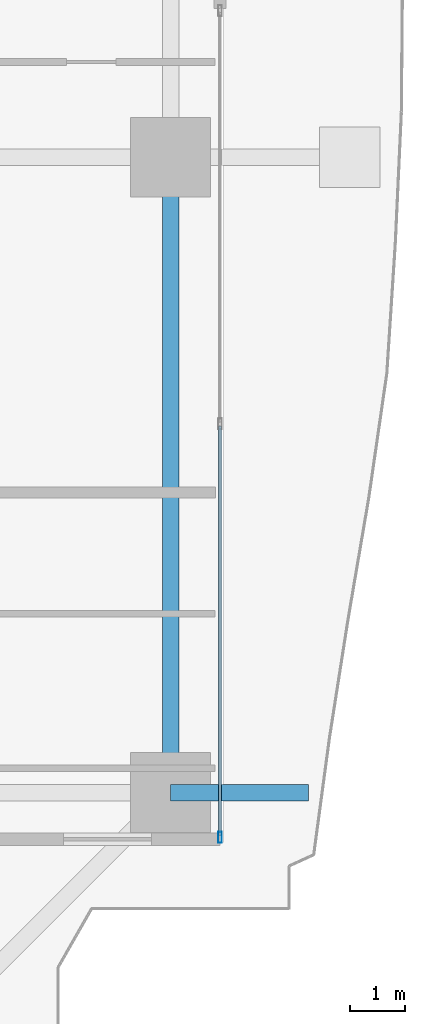
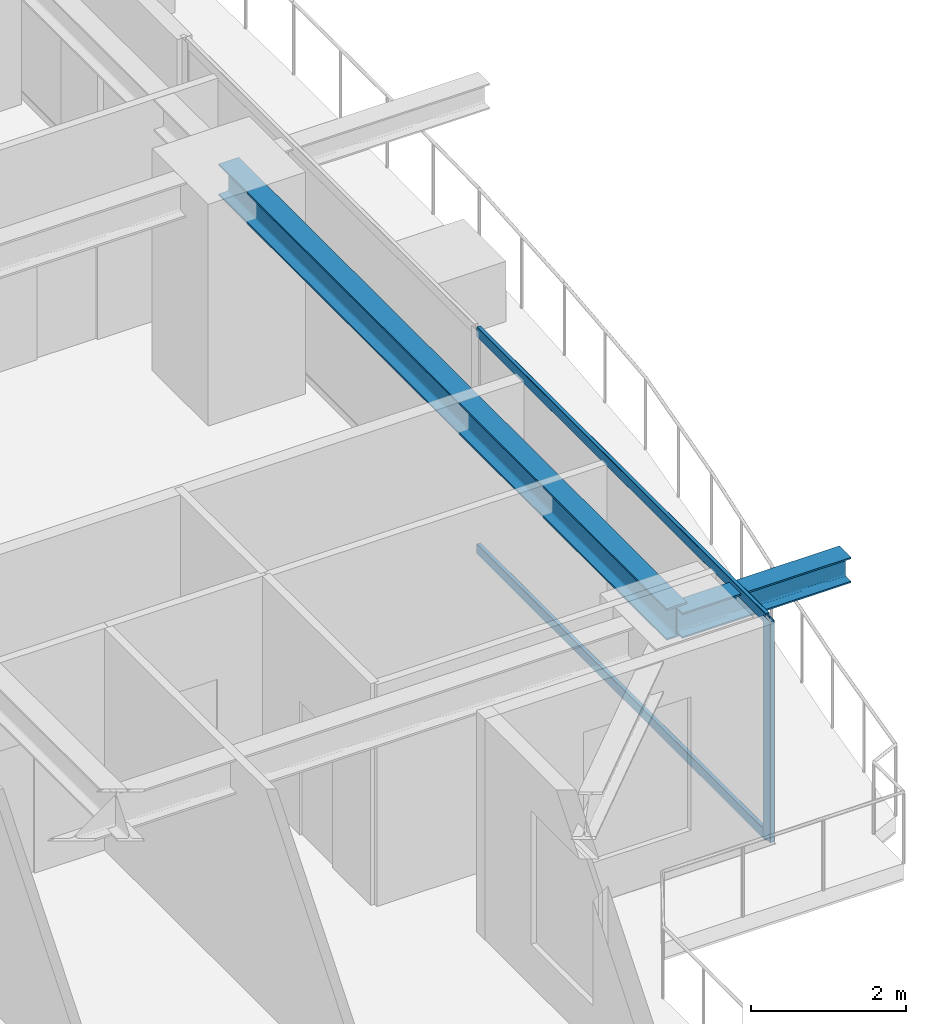
# One storey, part 12 of 37: 3 members, 2 beams, 1 element without a shape of its own.
"""IFC4 building model written with IfcOpenShell, lengths in metres."""

from ifc_helpers import new_model, si_unit, direction, frame, origin, origin_2d, place, context, subcontext, project, spatial, hollow_rectangle, i_section, extrude, source, transform, mapped, material, layer, layer_set, material_profile, profile_set, type_object, element, aggregate, save


model = new_model("IFC4")

# Units and contexts
model_context = context("Model", 3, precision=1e-05, world=origin(), true_north=direction((0.0, 1.0)))
body_context = subcontext(model_context, "Body", "Model", "MODEL_VIEW")
ifc_project = project(units=[si_unit("LENGTHUNIT", "METRE"), si_unit("AREAUNIT", "SQUARE_METRE"), si_unit("VOLUMEUNIT", "CUBIC_METRE"), si_unit("PLANEANGLEUNIT", "RADIAN"), si_unit("MASSUNIT", "GRAM", prefix="KILO")], contexts=[model_context])

# Site, building, storey
site_placement = place(None, origin())
site = spatial("IfcSite", under=ifc_project, at=site_placement, CompositionType="ELEMENT")
building_placement = place(site_placement, origin())
building = spatial("IfcBuilding", under=site, at=building_placement, Name="Serunith Strait Residences", CompositionType="ELEMENT")
storey_placement = place(building_placement, frame((0.0, 0.0, 26.699951171875)))
storey = spatial("IfcBuildingStorey", under=building, at=storey_placement, Name="L05", CompositionType="ELEMENT", Elevation=26.699951171875)

# Beams
ifc_material_1 = material(Name="Steel S355J2", Category="steel")
ifc_material_profile_1 = material_profile(ifc_material_1, i_section(OverallWidth=0.300048828125, OverallDepth=0.5, WebThickness=0.014404296875, FlangeThickness=0.028076171875, FilletRadius=0.027099609375, at=origin_2d()), Name="HEB 500")
ifc_profile_set_1 = profile_set([ifc_material_profile_1], Name="Steel S355J2")
beam_type_1 = type_object("IfcBeamType", Name="BM-HEB500", PredefinedType="BEAM", material=ifc_profile_set_1)
shared_shape_1 = source(origin(), body_context, "Body", "SweptSolid", [
    extrude(i_section(OverallWidth=0.300048828125, OverallDepth=0.5, WebThickness=0.014404296875, FlangeThickness=0.028076171875, FilletRadius=0.027099609375, at=origin_2d()), origin(), (0.0, 0.0, 1.0), 11.550048828125),
])
beam_1_placement = place(storey_placement, frame((57.89990234375, 9.449951171875, 3.237060546875), z_axis=(0.0, 1.0, 0.0), x_axis=(-1.0, 0.0, 0.0)))
element("IfcBeam", 1, at=beam_1_placement, inside=storey, type_object=beam_type_1, Name="L05 Perimeter Ring Beam 05", PredefinedType="BEAM", context=body_context, shape_type="MappedRepresentation", body=[
    mapped(shared_shape_1, transform((0.0, 0.0, 0.0), scale=1.0)),
])
ifc_material_profile_2 = material_profile(ifc_material_1, i_section(OverallWidth=0.300048828125, OverallDepth=0.39990234375, WebThickness=0.013427734375, FlangeThickness=0.02392578125, FilletRadius=0.027099609375, at=origin_2d()), Name="HEB 400")
ifc_profile_set_2 = profile_set([ifc_material_profile_2], Name="Steel S355J2")
beam_type_2 = type_object("IfcBeamType", Name="BM-HEB400", PredefinedType="BEAM", material=ifc_profile_set_2)
shared_shape_2 = source(origin(), body_context, "Body", "SweptSolid", [
    extrude(i_section(OverallWidth=0.300048828125, OverallDepth=0.39990234375, WebThickness=0.013427734375, FlangeThickness=0.02392578125, FilletRadius=0.027099609375, at=origin_2d()), origin(), (0.0, 0.0, 1.0), 2.509033203125),
])
beam_2_placement = place(storey_placement, frame((57.89990234375, 9.449951171875, 3.257080078125), z_axis=(1.0, 0.0, 0.0), x_axis=(0.0, 1.0, 0.0)))
element("IfcBeam", 2, at=beam_2_placement, inside=storey, type_object=beam_type_2, Name="L06 Cantilevered Balcony Rib TC-E1", PredefinedType="BEAM", context=body_context, shape_type="MappedRepresentation", body=[
    mapped(shared_shape_2, transform((0.0, 0.0, 0.0), scale=1.0)),
])

# Curtain wall, members
ifc_material_2 = material(Name="Pale-Champagne Anodised Aluminium", Category="aluminium")
ifc_layer = layer(ifc_material_2, 0.199951171875, Name="Pale-Champagne Anodised Aluminium")
ifc_layer_set = layer_set([ifc_layer], Name="Pale-Champagne Anodised Aluminium")
curtain_wall_type = type_object("IfcCurtainWallType", Name="CW-SYS1", PredefinedType="NOTDEFINED", material=ifc_layer_set)
curtain_wall_placement = place(storey_placement, origin())
curtain_wall = element("IfcCurtainWall", 3, at=curtain_wall_placement, inside=storey, type_object=curtain_wall_type, Name="L05 E Unitised Fritted Curtain Wall", PredefinedType="NOTDEFINED")
ifc_material_profile_3 = material_profile(ifc_material_2, hollow_rectangle(XDim=0.070068359375, YDim=0.199951171875, WallThickness=0.00390625, InnerFilletRadius=0.006103515625, OuterFilletRadius=0.010009765625, at=origin_2d()), Name="ALU 200x70x4")
ifc_profile_set_3 = profile_set([ifc_material_profile_3], Name="Pale-Champagne Anodised Aluminium")
member_type_1 = type_object("IfcMemberType", Name="CW-SYS1-MULL", PredefinedType="MULLION", material=ifc_profile_set_3)
shared_shape_3 = source(origin(), body_context, "Body", "SweptSolid", [
    extrude(hollow_rectangle(XDim=0.070068359375, YDim=0.199951171875, WallThickness=0.00390625, InnerFilletRadius=0.006103515625, OuterFilletRadius=0.010009765625, at=origin_2d()), origin(), (0.0, 0.0, 1.0), 3.47509765625),
])
member_1_placement = place(storey_placement, frame((58.800048828125, 8.635009765625, 0.0), z_axis=(0.0, 0.0, 1.0), x_axis=(-1.0, 0.0, 0.0)))
member_1 = element("IfcMember", 4, at=member_1_placement, type_object=member_type_1, Name="CW-1 mullion 1", PredefinedType="MULLION", context=body_context, shape_type="MappedRepresentation", body=[
    mapped(shared_shape_3, transform((0.0, 0.0, 0.0), scale=1.0)),
])
ifc_material_profile_4 = material_profile(ifc_material_2, hollow_rectangle(XDim=0.06005859375, YDim=0.159912109375, WallThickness=0.00341796875, InnerFilletRadius=0.00537109375, OuterFilletRadius=0.0087890625, at=origin_2d()), Name="ALU 160x60x3.5")
ifc_profile_set_4 = profile_set([ifc_material_profile_4], Name="Pale-Champagne Anodised Aluminium")
member_type_2 = type_object("IfcMemberType", Name="CW-SYS1-TRAN", PredefinedType="USERDEFINED", material=ifc_profile_set_4)
shared_shape_4 = source(origin(), body_context, "Body", "SweptSolid", [
    extrude(hollow_rectangle(XDim=0.06005859375, YDim=0.159912109375, WallThickness=0.00341796875, InnerFilletRadius=0.00537109375, OuterFilletRadius=0.0087890625, at=origin_2d()), origin(), (0.0, 0.0, 1.0), 7.445068359375),
])
member_2_placement = place(storey_placement, frame((58.800048828125, 8.669921875, 0.030029296875), z_axis=(0.0, 1.0, 0.0), x_axis=(-1.0, 0.0, 0.0)))
member_2 = element("IfcMember", 5, at=member_2_placement, type_object=member_type_2, Name="CW-1 transom 1.1", ObjectType="TRANSOM", PredefinedType="USERDEFINED", context=body_context, shape_type="MappedRepresentation", body=[
    mapped(shared_shape_4, transform((0.0, 0.0, 0.0), scale=1.0)),
])
member_3_placement = place(storey_placement, frame((58.800048828125, 8.669921875, 3.445068359375), z_axis=(0.0, 1.0, 0.0), x_axis=(-1.0, 0.0, 0.0)))
member_3 = element("IfcMember", 6, at=member_3_placement, type_object=member_type_2, Name="CW-1 transom 1.2", ObjectType="TRANSOM", PredefinedType="USERDEFINED", context=body_context, shape_type="MappedRepresentation", body=[
    mapped(shared_shape_4, transform((0.0, 0.0, 0.0), scale=1.0)),
])
aggregate(curtain_wall, [member_1, member_2, member_3])

save(model, "model.ifc")
